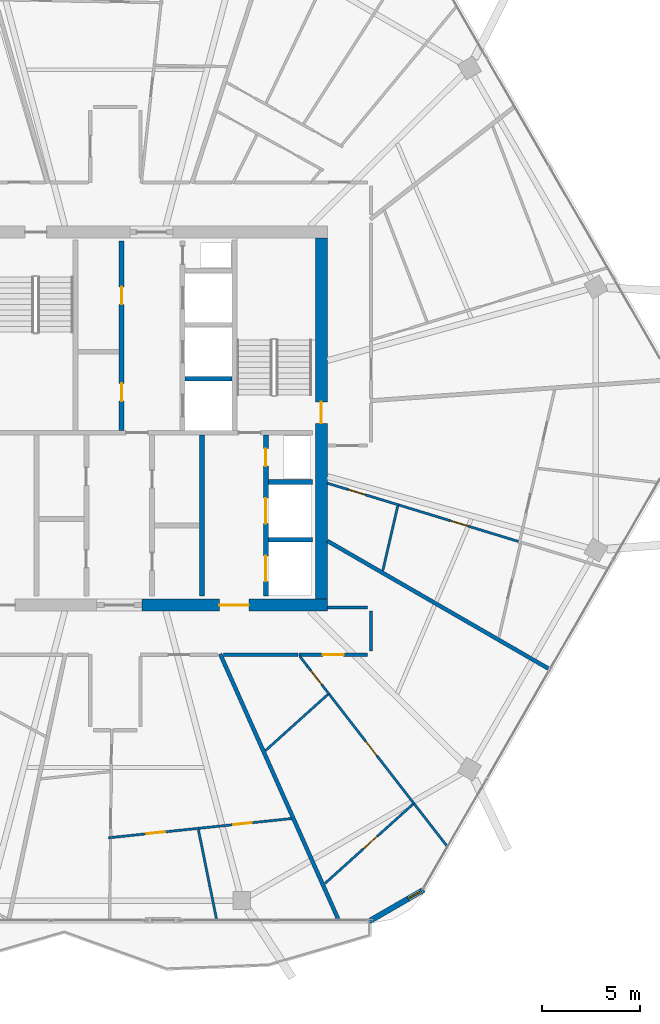
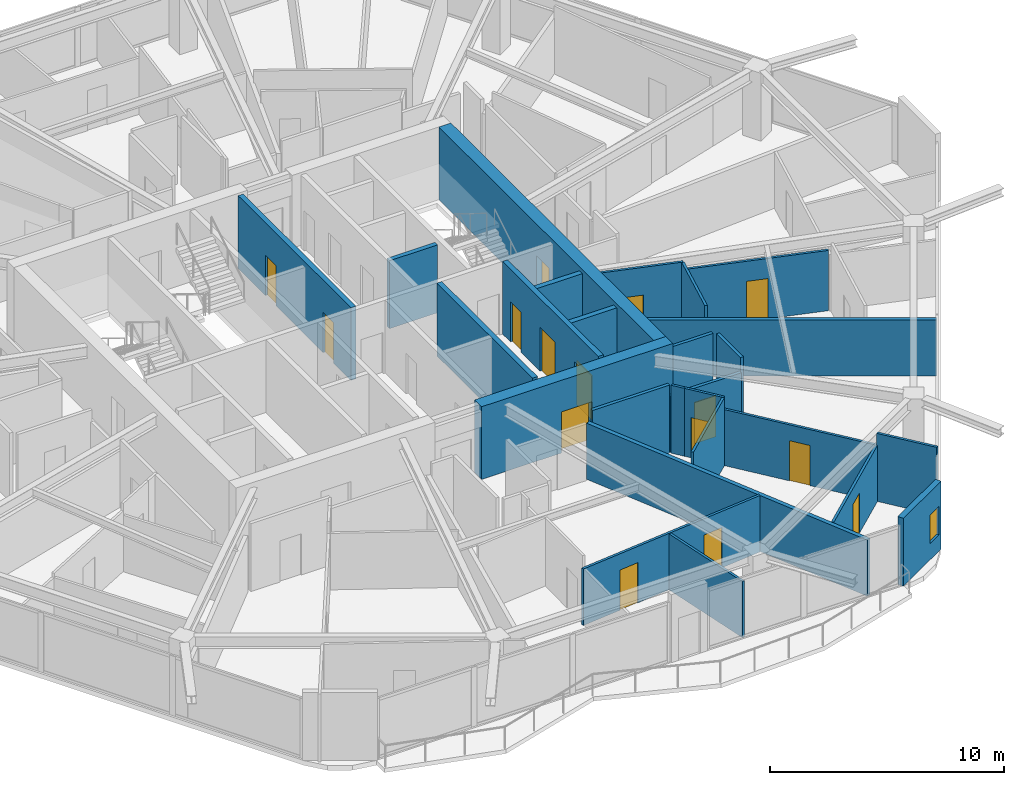
# One storey, part 21 of 26: 26 walls, 15 doors, 1 window, 16 openings.
"""IFC4 building model written with IfcOpenShell, lengths in metres."""

from ifc_helpers import new_model, si_unit, direction, frame, frame_2d, origin, place, context, subcontext, project, spatial, rectangle, extrude, material, layer, layer_set, type_object, element, fill, save


model = new_model("IFC4")

# Units and contexts
model_context = context("Model", 3, precision=1e-05, world=origin(), true_north=direction((0.0, 1.0)))
body_context = subcontext(model_context, "Body", "Model", "MODEL_VIEW")
ifc_project = project(units=[si_unit("LENGTHUNIT", "METRE"), si_unit("AREAUNIT", "SQUARE_METRE"), si_unit("VOLUMEUNIT", "CUBIC_METRE"), si_unit("PLANEANGLEUNIT", "RADIAN"), si_unit("MASSUNIT", "GRAM", prefix="KILO")], contexts=[model_context])

# Site, building, storey
site_placement = place(None, origin())
site = spatial("IfcSite", under=ifc_project, at=site_placement, CompositionType="ELEMENT")
building_placement = place(site_placement, origin())
building = spatial("IfcBuilding", under=site, at=building_placement, Name="Zuhravey Tower", CompositionType="ELEMENT")
storey_placement = place(building_placement, frame((0.0, 0.0, 242.60009765625)))
storey = spatial("IfcBuildingStorey", under=building, at=storey_placement, Name="L61", CompositionType="ELEMENT", Elevation=242.60009765625)

# Wall, opening, door
ifc_material_1 = material(Name="Concrete C50/60", Category="concrete")
ifc_layer_1 = layer(ifc_material_1, 0.60009765625)
ifc_layer_set_1 = layer_set([ifc_layer_1], Name="Concrete C50/60")
wall_type_1 = type_object("IfcWallType", Name="Core Shear Wall 600", PredefinedType="SHEAR", material=ifc_layer_set_1)
wall_1_placement = place(storey_placement, frame((37.35009765625, 22.5, 0.0), z_axis=(0.0, 0.0, 1.0), x_axis=(1.0, 0.0, 0.0)))
wall_1 = element("IfcWall", 1, at=wall_1_placement, inside=storey, type_object=wall_type_1, Name="L61 South-East Core Shear Wall CW60", PredefinedType="SHEAR", context=body_context, shape_type="SweptSolid", body=[
    extrude(rectangle(XDim=9.449951171875, YDim=0.60009765625, at=frame_2d((4.72509765625, 0.0))), origin(), (0.0, 0.0, 1.0), 3.7998046875),
])
opening_1_placement = place(wall_1_placement, frame((3.949951171875, 0.0, 0.0)))
opening_1 = element("IfcOpeningElement", 2, at=opening_1_placement, cuts=wall_1, Name="Opening FFD1", PredefinedType="OPENING", context=body_context, shape_type="SweptSolid", body=[
    extrude(rectangle(XDim=1.5, YDim=2.14990234375, at=frame_2d((0.75, 1.074951171875))), frame((0.0, 0.31201171875, 0.0), z_axis=(0.0, -1.0, 0.0), x_axis=(1.0, 0.0, 0.0)), (0.0, 0.0, 1.0), 0.6240234375),
])
ifc_material_2 = material(Name="Galvanised fire-rated steel leaf", Category="steel")
door_type_1 = type_object("IfcDoorType", Name="Firefighting Lobby Double Door 1500x2150", OperationType="DOUBLE_DOOR_SINGLE_SWING", PredefinedType="DOOR", material=ifc_material_2)
door_1_placement = place(opening_1_placement, origin())
door_1 = element("IfcDoor", 3, at=door_1_placement, inside=storey, type_object=door_type_1, Name="L61 Firefighting Lobby East Door", OperationType="DOUBLE_DOOR_SINGLE_SWING", OverallHeight=2.14990234375, OverallWidth=1.5, PredefinedType="DOOR", context=body_context, shape_type="SweptSolid", body=[
    extrude(rectangle(XDim=1.5, YDim=2.14990234375, at=frame_2d((0.75, 1.074951171875))), frame((0.0, 0.02490234375, 0.0), z_axis=(0.0, -1.0, 0.0), x_axis=(1.0, 0.0, 0.0)), (0.0, 0.0, 1.0), 0.050048828125),
])
fill(opening_1, door_1)

wall_2_placement = place(storey_placement, frame((46.5, 22.800048828125, 0.0), z_axis=(0.0, 0.0, 1.0), x_axis=(0.0, 1.0, 0.0)))
wall_2 = element("IfcWall", 4, at=wall_2_placement, inside=storey, type_object=wall_type_1, Name="L61 East Core Shear Wall CW60", PredefinedType="SHEAR", context=body_context, shape_type="SweptSolid", body=[
    extrude(rectangle(XDim=18.39990234375, YDim=0.60009765625, at=frame_2d((9.199951171875, 0.0))), origin(), (0.0, 0.0, 1.0), 3.7998046875),
])
opening_2_placement = place(wall_2_placement, frame((8.949951171875, 0.0, 0.0)))
opening_2 = element("IfcOpeningElement", 5, at=opening_2_placement, cuts=wall_2, Name="Opening STD1", PredefinedType="OPENING", context=body_context, shape_type="SweptSolid", body=[
    extrude(rectangle(XDim=1.10009765625, YDim=2.14990234375, at=frame_2d((0.550048828125, 1.074951171875))), frame((0.0, 0.31201171875, 0.0), z_axis=(0.0, -1.0, 0.0), x_axis=(1.0, 0.0, 0.0)), (0.0, 0.0, 1.0), 0.6240234375),
])
door_type_2 = type_object("IfcDoorType", Name="Protected Stair Fire Door 1100x2150", OperationType="NOTDEFINED", PredefinedType="USERDEFINED", material=ifc_material_2)
door_2_placement = place(opening_2_placement, origin())
door_2 = element("IfcDoor", 6, at=door_2_placement, inside=storey, type_object=door_type_2, Name="L61 Stair ST2 Door", ObjectType="EXITDOOR", OperationType="SINGLE_SWING_LEFT", OverallHeight=2.14990234375, OverallWidth=1.10009765625, PredefinedType="USERDEFINED", context=body_context, shape_type="SweptSolid", body=[
    extrude(rectangle(XDim=1.10009765625, YDim=2.14990234375, at=frame_2d((0.550048828125, 1.074951171875))), frame((0.0, 0.02490234375, 0.0), z_axis=(0.0, -1.0, 0.0), x_axis=(1.0, 0.0, 0.0)), (0.0, 0.0, 1.0), 0.050048828125),
])
fill(opening_2, door_2)

ifc_material_3 = material(Name="Gypsum fire-rated stud partition")
ifc_layer_2 = layer(ifc_material_3, 0.159912109375)
ifc_layer_set_2 = layer_set([ifc_layer_2], Name="Gypsum fire-rated stud partition")
wall_type_2 = type_object("IfcWallType", Name="Corridor Fire Partition 160", PredefinedType="PARTITIONING", material=ifc_layer_set_2)
wall_3_placement = place(storey_placement, frame((45.356689453125, 19.969970703125, 0.0), z_axis=(0.0, 0.0, 1.0), x_axis=(1.0, 0.0, 0.0)))
wall_3 = element("IfcWall", 7, at=wall_3_placement, inside=storey, type_object=wall_type_2, Name="L61 IW16 Partition 051", PredefinedType="PARTITIONING", context=body_context, shape_type="SweptSolid", body=[
    extrude(rectangle(XDim=3.493408203125, YDim=0.159912109375, at=frame_2d((1.74658203125, 0.0))), origin(), (0.0, 0.0, 1.0), 2.949951171875),
])
opening_3_placement = place(wall_3_placement, frame((1.2216796875, 0.0, 0.0)))
opening_3 = element("IfcOpeningElement", 8, at=opening_3_placement, cuts=wall_3, Name="Opening APD1", PredefinedType="OPENING", context=body_context, shape_type="SweptSolid", body=[
    extrude(rectangle(XDim=1.050048828125, YDim=2.14990234375, at=frame_2d((0.52490234375, 1.074951171875))), frame((0.0, 0.092041015625, 0.0), z_axis=(0.0, -1.0, 0.0), x_axis=(1.0, 0.0, 0.0)), (0.0, 0.0, 1.0), 0.183837890625),
])
ifc_material_4 = material(Name="Solid-core oak fire-rated leaf")
door_type_3 = type_object("IfcDoorType", Name="Apartment Entrance Fire Door 1050x2150", OperationType="NOTDEFINED", PredefinedType="DOOR", material=ifc_material_4)
door_3_placement = place(opening_3_placement, frame((1.050048828125, 0.0, 0.0), z_axis=(0.0, 0.0, 1.0), x_axis=(-1.0, 0.0, 0.0)))
door_3 = element("IfcDoor", 9, at=door_3_placement, inside=storey, type_object=door_type_3, Name="L61 Door 051.1", OperationType="SINGLE_SWING_LEFT", OverallHeight=2.14990234375, OverallWidth=1.050048828125, PredefinedType="DOOR", context=body_context, shape_type="SweptSolid", body=[
    extrude(rectangle(XDim=1.050048828125, YDim=2.14990234375, at=frame_2d((0.52490234375, 1.074951171875))), frame((0.0, 0.02490234375, 0.0), z_axis=(0.0, -1.0, 0.0), x_axis=(1.0, 0.0, 0.0)), (0.0, 0.0, 1.0), 0.050048828125),
])
fill(opening_3, door_3)

# Walls
wall_4_placement = place(storey_placement, frame((49.030029296875, 20.14990234375, 0.0), z_axis=(0.0, 0.0, 1.0), x_axis=(0.0, 1.0, 0.0)))
element("IfcWall", 10, at=wall_4_placement, inside=storey, type_object=wall_type_2, Name="L61 IW16 Partition 135", PredefinedType="PARTITIONING", context=body_context, shape_type="SweptSolid", body=[
    extrude(rectangle(XDim=2.050048828125, YDim=0.159912109375, at=frame_2d((1.02490234375, 0.0))), origin(), (0.0, 0.0, 1.0), 3.5498046875),
])
wall_5_placement = place(storey_placement, frame((48.85009765625, 22.3798828125, 0.0), z_axis=(0.0, 0.0, 1.0), x_axis=(-1.0, 0.0, 0.0)))
element("IfcWall", 11, at=wall_5_placement, inside=storey, type_object=wall_type_2, Name="L61 IW16 Partition 136", PredefinedType="PARTITIONING", context=body_context, shape_type="SweptSolid", body=[
    extrude(rectangle(XDim=2.030029296875, YDim=0.159912109375, at=frame_2d((1.01513671875, 0.0))), origin(), (0.0, 0.0, 1.0), 3.5498046875),
])
wall_6_placement = place(storey_placement, frame((41.50439453125, 19.969970703125, 0.0), z_axis=(0.0, 0.0, 1.0), x_axis=(1.0, 0.0, 0.0)))
element("IfcWall", 12, at=wall_6_placement, inside=storey, type_object=wall_type_2, Name="L61 IW16 Partition 137", PredefinedType="PARTITIONING", context=body_context, shape_type="SweptSolid", body=[
    extrude(rectangle(XDim=3.8017578125, YDim=0.159912109375, at=frame_2d((1.90087890625, 0.0))), origin(), (0.0, 0.0, 1.0), 3.5498046875),
])

# Wall, opening, window
ifc_material_5 = material(Name="Precast concrete C40/50", Category="concrete")
ifc_layer_3 = layer(ifc_material_5, 0.280029296875)
ifc_layer_set_3 = layer_set([ifc_layer_3], Name="Precast concrete C40/50")
wall_type_3 = type_object("IfcWallType", Name="Crown Architectural Wall 280", PredefinedType="SOLIDWALL", material=ifc_layer_set_3)
wall_7_placement = place(storey_placement, frame((51.714599609375, 7.996337890625, 0.0), z_axis=(0.0, 0.0, 1.0), x_axis=(-0.866028773314, -0.499994163758, 0.0)))
wall_7 = element("IfcWall", 13, at=wall_7_placement, inside=storey, type_object=wall_type_3, Name="L61 Rounded Corner Closure Wall EW28-02", PredefinedType="SOLIDWALL", context=body_context, shape_type="SweptSolid", body=[
    extrude(rectangle(XDim=3.21484375, YDim=0.280029296875, at=frame_2d((1.607421875, 0.0))), origin(), (0.0, 0.0, 1.0), 3.5498046875),
])
opening_4_placement = place(wall_7_placement, frame((0.17578125, 0.0, 0.85009765625)))
opening_4 = element("IfcOpeningElement", 14, at=opening_4_placement, cuts=wall_7, Name="Opening WN5", PredefinedType="OPENING", context=body_context, shape_type="SweptSolid", body=[
    extrude(rectangle(XDim=0.75, YDim=1.5, at=frame_2d((0.375, 0.75))), frame((0.0, 0.152099609375, 0.0), z_axis=(0.0, -1.0, 0.0), x_axis=(1.0, 0.0, 0.0)), (0.0, 0.0, 1.0), 0.303955078125),
])
ifc_material_6 = material(Name="Thermally broken aluminium and triple low-E glass", Category="aluminium")
window_type = type_object("IfcWindowType", Name="Residential Corner Casement Window 750x1500", PartitioningType="SINGLE_PANEL", PredefinedType="WINDOW", material=ifc_material_6)
window_placement = place(opening_4_placement, origin())
window = element("IfcWindow", 15, at=window_placement, inside=storey, type_object=window_type, Name="L61 Corner Casement Window WN5-02.1", OverallHeight=1.5, OverallWidth=0.75, PartitioningType="SINGLE_PANEL", PredefinedType="WINDOW", context=body_context, shape_type="SweptSolid", body=[
    extrude(rectangle(XDim=0.75, YDim=1.5, at=frame_2d((0.375, 0.75))), frame((0.0, 0.030029296875, 0.0), z_axis=(0.0, -1.0, 0.0), x_axis=(1.0, 0.0, 0.0)), (0.0, 0.0, 1.0), 0.06005859375),
])
fill(opening_4, window)

# Wall, openings, doors
ifc_layer_4 = layer(ifc_material_1, 0.25)
ifc_layer_set_4 = layer_set([ifc_layer_4], Name="Concrete C50/60")
wall_type_4 = type_object("IfcWallType", Name="Firefighting Shaft & Stair Wall 250", PredefinedType="SOLIDWALL", material=ifc_layer_set_4)
wall_8_placement = place(storey_placement, frame((36.324951171875, 31.39990234375, 0.0), z_axis=(0.0, 0.0, 1.0), x_axis=(0.0, 1.0, 0.0)))
wall_8 = element("IfcWall", 16, at=wall_8_placement, inside=storey, type_object=wall_type_4, Name="L61 FW25 Shaft Wall 007", PredefinedType="SOLIDWALL", context=body_context, shape_type="SweptSolid", body=[
    extrude(rectangle(XDim=9.650146484375, YDim=0.25, at=frame_2d((4.8251953125, 0.0))), origin(), (0.0, 0.0, 1.0), 3.7998046875),
])
opening_5_placement = place(wall_8_placement, frame((1.489990234375, 0.0, 0.0)))
opening_5 = element("IfcOpeningElement", 17, at=opening_5_placement, cuts=wall_8, Name="Opening RSD1", PredefinedType="OPENING", context=body_context, shape_type="SweptSolid", body=[
    extrude(rectangle(XDim=0.89990234375, YDim=2.10009765625, at=frame_2d((0.449951171875, 1.050048828125))), frame((0.0, 0.136962890625, 0.0), z_axis=(0.0, -1.0, 0.0), x_axis=(1.0, 0.0, 0.0)), (0.0, 0.0, 1.0), 0.27392578125),
])
opening_6_placement = place(wall_8_placement, frame((6.409912109375, 0.0, 0.0)))
opening_6 = element("IfcOpeningElement", 18, at=opening_6_placement, cuts=wall_8, Name="Opening RSD1", PredefinedType="OPENING", context=body_context, shape_type="SweptSolid", body=[
    extrude(rectangle(XDim=0.89990234375, YDim=2.10009765625, at=frame_2d((0.449951171875, 1.050048828125))), frame((0.0, 0.136962890625, 0.0), z_axis=(0.0, -1.0, 0.0), x_axis=(1.0, 0.0, 0.0)), (0.0, 0.0, 1.0), 0.27392578125),
])
ifc_material_7 = material(Name="Galvanised fire-rated steel access leaf", Category="steel")
door_type_4 = type_object("IfcDoorType", Name="Riser & Shaft Access Fire Door 900x2100", OperationType="NOTDEFINED", PredefinedType="DOOR", material=ifc_material_7)
door_4_placement = place(opening_5_placement, origin())
door_4 = element("IfcDoor", 19, at=door_4_placement, inside=storey, type_object=door_type_4, Name="L61 Core Cleaner Store Door", OperationType="SINGLE_SWING_RIGHT", OverallHeight=2.10009765625, OverallWidth=0.89990234375, PredefinedType="DOOR", context=body_context, shape_type="SweptSolid", body=[
    extrude(rectangle(XDim=0.89990234375, YDim=2.10009765625, at=frame_2d((0.449951171875, 1.050048828125))), frame((0.0, 0.02490234375, 0.0), z_axis=(0.0, -1.0, 0.0), x_axis=(1.0, 0.0, 0.0)), (0.0, 0.0, 1.0), 0.050048828125),
])
fill(opening_5, door_4)
door_5_placement = place(opening_6_placement, origin())
door_5 = element("IfcDoor", 20, at=door_5_placement, inside=storey, type_object=door_type_4, Name="L61 Core Pantry and Tea Room Door", OperationType="SINGLE_SWING_LEFT", OverallHeight=2.10009765625, OverallWidth=0.89990234375, PredefinedType="DOOR", context=body_context, shape_type="SweptSolid", body=[
    extrude(rectangle(XDim=0.89990234375, YDim=2.10009765625, at=frame_2d((0.449951171875, 1.050048828125))), frame((0.0, 0.02490234375, 0.0), z_axis=(0.0, -1.0, 0.0), x_axis=(1.0, 0.0, 0.0)), (0.0, 0.0, 1.0), 0.050048828125),
])
fill(opening_6, door_5)

# Walls
wall_9_placement = place(storey_placement, frame((40.425048828125, 22.949951171875, 0.0), z_axis=(0.0, 0.0, 1.0), x_axis=(0.0, 1.0, 0.0)))
element("IfcWall", 21, at=wall_9_placement, inside=storey, type_object=wall_type_4, Name="L61 FW25 Shaft Wall 017", PredefinedType="SOLIDWALL", context=body_context, shape_type="SweptSolid", body=[
    extrude(rectangle(XDim=8.199951171875, YDim=0.25, at=frame_2d((4.10009765625, 0.0))), origin(), (0.0, 0.0, 1.0), 3.7998046875),
])
for number, where, z_axis, x_axis, name in (
    (22, (43.800048828125, 25.824951171875, 0.0), (0.0, 0.0, 1.0), (1.0, 0.0, 0.0), "L61 FW25 Shaft Wall 018"),
    (23, (43.800048828125, 28.77490234375, 0.0), (0.0, 0.0, 1.0), (1.0, 0.0, 0.0), "L61 FW25 Shaft Wall 019"),
):
    element("IfcWall", number, at=place(storey_placement, frame(where, z_axis=z_axis, x_axis=x_axis)), inside=storey, type_object=wall_type_4, Name=name, PredefinedType="SOLIDWALL", context=body_context, shape_type="SweptSolid", body=[
        extrude(rectangle(XDim=2.25, YDim=0.25, at=frame_2d((1.125, 0.0))), origin(), (0.0, 0.0, 1.0), 3.7998046875),
    ])

# Wall, openings, doors
wall_10_placement = place(storey_placement, frame((43.675048828125, 22.949951171875, 0.0), z_axis=(0.0, 0.0, 1.0), x_axis=(0.0, 1.0, 0.0)))
wall_10 = element("IfcWall", 24, at=wall_10_placement, inside=storey, type_object=wall_type_4, Name="L61 FW25 Shaft Wall 020", PredefinedType="SOLIDWALL", context=body_context, shape_type="SweptSolid", body=[
    extrude(rectangle(XDim=8.199951171875, YDim=0.25, at=frame_2d((4.10009765625, 0.0))), origin(), (0.0, 0.0, 1.0), 3.7998046875),
])
opening_7_placement = place(wall_10_placement, frame((0.75, 0.0, 0.0)))
opening_7 = element("IfcOpeningElement", 25, at=opening_7_placement, cuts=wall_10, Name="Opening LD2", PredefinedType="OPENING", context=body_context, shape_type="SweptSolid", body=[
    extrude(rectangle(XDim=1.300048828125, YDim=2.300048828125, at=frame_2d((0.64990234375, 1.14990234375))), frame((0.0, 0.136962890625, 0.0), z_axis=(0.0, -1.0, 0.0), x_axis=(1.0, 0.0, 0.0)), (0.0, 0.0, 1.0), 0.27392578125),
])
opening_8_placement = place(wall_10_placement, frame((3.699951171875, 0.0, 0.0)))
opening_8 = element("IfcOpeningElement", 26, at=opening_8_placement, cuts=wall_10, Name="Opening LD2", PredefinedType="OPENING", context=body_context, shape_type="SweptSolid", body=[
    extrude(rectangle(XDim=1.300048828125, YDim=2.300048828125, at=frame_2d((0.64990234375, 1.14990234375))), frame((0.0, 0.136962890625, 0.0), z_axis=(0.0, -1.0, 0.0), x_axis=(1.0, 0.0, 0.0)), (0.0, 0.0, 1.0), 0.27392578125),
])
opening_9_placement = place(wall_10_placement, frame((6.6201171875, 0.0, 0.0)))
opening_9 = element("IfcOpeningElement", 27, at=opening_9_placement, cuts=wall_10, Name="Opening RSD1", PredefinedType="OPENING", context=body_context, shape_type="SweptSolid", body=[
    extrude(rectangle(XDim=0.89990234375, YDim=2.10009765625, at=frame_2d((0.449951171875, 1.050048828125))), frame((0.0, 0.136962890625, 0.0), z_axis=(0.0, -1.0, 0.0), x_axis=(1.0, 0.0, 0.0)), (0.0, 0.0, 1.0), 0.27392578125),
])
ifc_material_8 = material(Name="Brushed stainless steel", Category="steel")
door_type_5 = type_object("IfcDoorType", Name="Freight & Stretcher Lift Sliding Door 1300x2300", OperationType="DOUBLE_DOOR_SLIDING", PredefinedType="DOOR", material=ifc_material_8)
door_6_placement = place(opening_7_placement, origin())
door_6 = element("IfcDoor", 28, at=door_6_placement, inside=storey, type_object=door_type_5, Name="L61 Lift FF2 Landing Door", OperationType="DOUBLE_DOOR_SLIDING", OverallHeight=2.300048828125, OverallWidth=1.300048828125, PredefinedType="DOOR", context=body_context, shape_type="SweptSolid", body=[
    extrude(rectangle(XDim=1.300048828125, YDim=2.300048828125, at=frame_2d((0.64990234375, 1.14990234375))), frame((0.0, 0.02490234375, 0.0), z_axis=(0.0, -1.0, 0.0), x_axis=(1.0, 0.0, 0.0)), (0.0, 0.0, 1.0), 0.050048828125),
])
fill(opening_7, door_6)
door_7_placement = place(opening_8_placement, origin())
door_7 = element("IfcDoor", 29, at=door_7_placement, inside=storey, type_object=door_type_5, Name="L61 Lift SV1 Landing Door", OperationType="DOUBLE_DOOR_SLIDING", OverallHeight=2.300048828125, OverallWidth=1.300048828125, PredefinedType="DOOR", context=body_context, shape_type="SweptSolid", body=[
    extrude(rectangle(XDim=1.300048828125, YDim=2.300048828125, at=frame_2d((0.64990234375, 1.14990234375))), frame((0.0, 0.02490234375, 0.0), z_axis=(0.0, -1.0, 0.0), x_axis=(1.0, 0.0, 0.0)), (0.0, 0.0, 1.0), 0.050048828125),
])
fill(opening_8, door_7)
door_8_placement = place(opening_9_placement, origin())
door_8 = element("IfcDoor", 30, at=door_8_placement, inside=storey, type_object=door_type_4, Name="L61 Plumbing Riser Door", OperationType="SINGLE_SWING_LEFT", OverallHeight=2.10009765625, OverallWidth=0.89990234375, PredefinedType="DOOR", context=body_context, shape_type="SweptSolid", body=[
    extrude(rectangle(XDim=0.89990234375, YDim=2.10009765625, at=frame_2d((0.449951171875, 1.050048828125))), frame((0.0, 0.02490234375, 0.0), z_axis=(0.0, -1.0, 0.0), x_axis=(1.0, 0.0, 0.0)), (0.0, 0.0, 1.0), 0.050048828125),
])
fill(opening_9, door_8)

# Walls
ifc_material_9 = material(Name="Gypsum double-stud party assembly")
ifc_layer_5 = layer(ifc_material_9, 0.199951171875)
ifc_layer_set_5 = layer_set([ifc_layer_5], Name="Gypsum double-stud party assembly")
wall_type_5 = type_object("IfcWallType", Name="Inter-Tenancy Party Wall 200", PredefinedType="PARTITIONING", material=ifc_layer_set_5)
wall_11_placement = place(storey_placement, frame((41.33837890625, 20.010009765625, 0.0), z_axis=(0.0, 0.0, 1.0), x_axis=(0.406725337387, -0.913550491176, 0.0)))
element("IfcWall", 31, at=wall_11_placement, inside=storey, type_object=wall_type_5, Name="L61 IW20 Partition 100", PredefinedType="PARTITIONING", context=body_context, shape_type="SweptSolid", body=[
    extrude(rectangle(XDim=14.858154296875, YDim=0.199951171875, at=frame_2d((7.42919921875, 0.0))), origin(), (0.0, 0.0, 1.0), 2.929931640625),
])
wall_12_placement = place(storey_placement, frame((46.80810546875, 25.760009765625, 0.0), z_axis=(0.0, 0.0, 1.0), x_axis=(0.86602399778, -0.500002435262, 0.0)))
element("IfcWall", 32, at=wall_12_placement, inside=storey, type_object=wall_type_5, Name="L61 IW20 Partition 104", PredefinedType="PARTITIONING", context=body_context, shape_type="SweptSolid", body=[
    extrude(rectangle(XDim=13.08349609375, YDim=0.199951171875, at=frame_2d((6.541748046875, 0.0))), origin(), (0.0, 0.0, 1.0), 2.929931640625),
])
ifc_material_10 = material(Name="Gypsum acoustic stud assembly")
ifc_layer_6 = layer(ifc_material_10, 0.219970703125)
ifc_layer_set_6 = layer_set([ifc_layer_6], Name="Gypsum acoustic stud assembly")
wall_type_6 = type_object("IfcWallType", Name="School Acoustic Compartment Wall 220", PredefinedType="PARTITIONING", material=ifc_layer_set_6)
wall_13_placement = place(storey_placement, frame((39.55810546875, 34.02490234375, 0.0), z_axis=(0.0, 0.0, 1.0), x_axis=(1.0, 0.0, 0.0)))
element("IfcWall", 33, at=wall_13_placement, inside=storey, type_object=wall_type_6, Name="L61 IW22 Partition 070", PredefinedType="PARTITIONING", context=body_context, shape_type="SweptSolid", body=[
    extrude(rectangle(XDim=2.3837890625, YDim=0.219970703125, at=frame_2d((1.19189453125, 0.0))), origin(), (0.0, 0.0, 1.0), 3.5498046875),
])

# Wall, openings, doors
ifc_material_11 = material(Name="Gypsum metal-stud partition")
ifc_layer_7 = layer(ifc_material_11, 0.1201171875)
ifc_layer_set_7 = layer_set([ifc_layer_7], Name="Gypsum metal-stud partition")
wall_type_7 = type_object("IfcWallType", Name="Unit Internal Partition 120", PredefinedType="PARTITIONING", material=ifc_layer_set_7)
wall_14_placement = place(storey_placement, frame((35.65771484375, 10.64208984375, 0.0), z_axis=(0.0, 0.0, 1.0), x_axis=(0.994519444743, 0.104551776778, 0.0)))
wall_14 = element("IfcWall", 34, at=wall_14_placement, inside=storey, type_object=wall_type_7, Name="L61 IW12 Partition 043", PredefinedType="PARTITIONING", context=body_context, shape_type="SweptSolid", body=[
    extrude(rectangle(XDim=9.36376953125, YDim=0.1201171875, at=frame_2d((4.681884765625, 0.0))), origin(), (0.0, 0.0, 1.0), 2.949951171875),
])
opening_10_placement = place(wall_14_placement, frame((1.93896484375, 0.0, 0.0)))
opening_10 = element("IfcOpeningElement", 35, at=opening_10_placement, cuts=wall_14, Name="Opening IND1", PredefinedType="OPENING", context=body_context, shape_type="SweptSolid", body=[
    extrude(rectangle(XDim=0.949951171875, YDim=2.10009765625, at=frame_2d((0.47509765625, 1.050048828125))), frame((0.0, 0.072021484375, 0.0), z_axis=(0.0, -1.0, 0.0), x_axis=(1.0, 0.0, 0.0)), (0.0, 0.0, 1.0), 0.14404296875),
])
opening_11_placement = place(wall_14_placement, frame((6.380126953125, 0.0, 0.0)))
opening_11 = element("IfcOpeningElement", 36, at=opening_11_placement, cuts=wall_14, Name="Opening IND1", PredefinedType="OPENING", context=body_context, shape_type="SweptSolid", body=[
    extrude(rectangle(XDim=0.949951171875, YDim=2.10009765625, at=frame_2d((0.47509765625, 1.050048828125))), frame((0.0, 0.072021484375, 0.0), z_axis=(0.0, -1.0, 0.0), x_axis=(1.0, 0.0, 0.0)), (0.0, 0.0, 1.0), 0.14404296875),
])
ifc_material_12 = material(Name="Painted engineered timber leaf", Category="wood")
door_type_6 = type_object("IfcDoorType", Name="Internal Room & Bedroom Door 950x2100", OperationType="NOTDEFINED", PredefinedType="DOOR", material=ifc_material_12)
door_9_placement = place(opening_10_placement, frame((0.949951171875, 0.0, 0.0), z_axis=(0.0, 0.0, 1.0), x_axis=(-1.0, 0.0, 0.0)))
door_9 = element("IfcDoor", 37, at=door_9_placement, inside=storey, type_object=door_type_6, Name="Apartment L61-06 Family Study Door", OperationType="SINGLE_SWING_LEFT", OverallHeight=2.10009765625, OverallWidth=0.949951171875, PredefinedType="DOOR", context=body_context, shape_type="SweptSolid", body=[
    extrude(rectangle(XDim=0.949951171875, YDim=2.10009765625, at=frame_2d((0.47509765625, 1.050048828125))), frame((0.0, 0.02490234375, 0.0), z_axis=(0.0, -1.0, 0.0), x_axis=(1.0, 0.0, 0.0)), (0.0, 0.0, 1.0), 0.050048828125),
])
fill(opening_10, door_9)
door_10_placement = place(opening_11_placement, frame((0.949951171875, 0.0, 0.0), z_axis=(0.0, 0.0, 1.0), x_axis=(-1.0, 0.0, 0.0)))
door_10 = element("IfcDoor", 38, at=door_10_placement, inside=storey, type_object=door_type_6, Name="Apartment L61-06 Dining Room Door", OperationType="SINGLE_SWING_RIGHT", OverallHeight=2.10009765625, OverallWidth=0.949951171875, PredefinedType="DOOR", context=body_context, shape_type="SweptSolid", body=[
    extrude(rectangle(XDim=0.949951171875, YDim=2.10009765625, at=frame_2d((0.47509765625, 1.050048828125))), frame((0.0, 0.02490234375, 0.0), z_axis=(0.0, -1.0, 0.0), x_axis=(1.0, 0.0, 0.0)), (0.0, 0.0, 1.0), 0.050048828125),
])
fill(opening_11, door_10)

# Wall, opening, door
wall_15_placement = place(storey_placement, frame((45.7734375, 19.39990234375, 0.0), z_axis=(0.0, 0.0, 1.0), x_axis=(0.612972513082, -0.790104232495, 0.0)))
wall_15 = element("IfcWall", 39, at=wall_15_placement, inside=storey, type_object=wall_type_7, Name="L61 IW12 Partition 048", PredefinedType="PARTITIONING", context=body_context, shape_type="SweptSolid", body=[
    extrude(rectangle(XDim=1.816650390625, YDim=0.1201171875, at=frame_2d((0.908203125, 0.0))), origin(), (0.0, 0.0, 1.0), 3.5498046875),
])
opening_12_placement = place(wall_15_placement, frame((0.31298828125, 0.0, 0.0)))
opening_12 = element("IfcOpeningElement", 40, at=opening_12_placement, cuts=wall_15, Name="Opening WCD1", PredefinedType="OPENING", context=body_context, shape_type="SweptSolid", body=[
    extrude(rectangle(XDim=0.89990234375, YDim=2.10009765625, at=frame_2d((0.449951171875, 1.050048828125))), frame((0.0, 0.072021484375, 0.0), z_axis=(0.0, -1.0, 0.0), x_axis=(1.0, 0.0, 0.0)), (0.0, 0.0, 1.0), 0.14404296875),
])
ifc_material_13 = material(Name="Moisture-resistant timber leaf", Category="wood")
door_type_7 = type_object("IfcDoorType", Name="Bathroom & WC Internal Door 900x2100", OperationType="NOTDEFINED", PredefinedType="DOOR", material=ifc_material_13)
door_11_placement = place(opening_12_placement, frame((0.89990234375, 0.0, 0.0), z_axis=(0.0, 0.0, 1.0), x_axis=(-1.0, 0.0, 0.0)))
door_11 = element("IfcDoor", 41, at=door_11_placement, inside=storey, type_object=door_type_7, Name="Apartment L61-07 Bathroom Door", OperationType="SINGLE_SWING_RIGHT", OverallHeight=2.10009765625, OverallWidth=0.89990234375, PredefinedType="DOOR", context=body_context, shape_type="SweptSolid", body=[
    extrude(rectangle(XDim=0.89990234375, YDim=2.10009765625, at=frame_2d((0.449951171875, 1.050048828125))), frame((0.0, 0.02490234375, 0.0), z_axis=(0.0, -1.0, 0.0), x_axis=(1.0, 0.0, 0.0)), (0.0, 0.0, 1.0), 0.050048828125),
])
fill(opening_12, door_11)

wall_16_placement = place(storey_placement, frame((46.88720703125, 17.964599609375, 0.0), z_axis=(0.0, 0.0, 1.0), x_axis=(0.612896077685, -0.790163526087, 0.0)))
wall_16 = element("IfcWall", 42, at=wall_16_placement, inside=storey, type_object=wall_type_7, Name="L61 IW12 Partition 049", PredefinedType="PARTITIONING", context=body_context, shape_type="SweptSolid", body=[
    extrude(rectangle(XDim=7.074951171875, YDim=0.1201171875, at=frame_2d((3.53759765625, 0.0))), origin(), (0.0, 0.0, 1.0), 2.929931640625),
])
opening_13_placement = place(wall_16_placement, frame((3.03759765625, 0.0, 0.0)))
opening_13 = element("IfcOpeningElement", 43, at=opening_13_placement, cuts=wall_16, Name="Opening IND1", PredefinedType="OPENING", context=body_context, shape_type="SweptSolid", body=[
    extrude(rectangle(XDim=0.949951171875, YDim=2.10009765625, at=frame_2d((0.47509765625, 1.050048828125))), frame((0.0, 0.072021484375, 0.0), z_axis=(0.0, -1.0, 0.0), x_axis=(1.0, 0.0, 0.0)), (0.0, 0.0, 1.0), 0.14404296875),
])
door_12_placement = place(opening_13_placement, frame((0.949951171875, 0.0, 0.0), z_axis=(0.0, 0.0, 1.0), x_axis=(-1.0, 0.0, 0.0)))
door_12 = element("IfcDoor", 44, at=door_12_placement, inside=storey, type_object=door_type_6, Name="Apartment L61-07 Home Office Door", OperationType="SINGLE_SWING_LEFT", OverallHeight=2.10009765625, OverallWidth=0.949951171875, PredefinedType="DOOR", context=body_context, shape_type="SweptSolid", body=[
    extrude(rectangle(XDim=0.949951171875, YDim=2.10009765625, at=frame_2d((0.47509765625, 1.050048828125))), frame((0.0, 0.02490234375, 0.0), z_axis=(0.0, -1.0, 0.0), x_axis=(1.0, 0.0, 0.0)), (0.0, 0.0, 1.0), 0.050048828125),
])
fill(opening_13, door_12)

wall_17_placement = place(storey_placement, frame((46.68212890625, 8.319091796875, 0.0), z_axis=(0.0, 0.0, 1.0), x_axis=(0.743153013224, 0.669121512834, 0.0)))
wall_17 = element("IfcWall", 45, at=wall_17_placement, inside=storey, type_object=wall_type_7, Name="L61 IW12 Partition 050", PredefinedType="PARTITIONING", context=body_context, shape_type="SweptSolid", body=[
    extrude(rectangle(XDim=6.021728515625, YDim=0.1201171875, at=frame_2d((3.0107421875, 0.0))), origin(), (0.0, 0.0, 1.0), 2.929931640625),
])
opening_14_placement = place(wall_17_placement, frame((2.6201171875, 0.0, 0.0)))
opening_14 = element("IfcOpeningElement", 46, at=opening_14_placement, cuts=wall_17, Name="Opening IND1", PredefinedType="OPENING", context=body_context, shape_type="SweptSolid", body=[
    extrude(rectangle(XDim=0.949951171875, YDim=2.10009765625, at=frame_2d((0.47509765625, 1.050048828125))), frame((0.0, 0.072021484375, 0.0), z_axis=(0.0, -1.0, 0.0), x_axis=(1.0, 0.0, 0.0)), (0.0, 0.0, 1.0), 0.14404296875),
])
door_13_placement = place(opening_14_placement, frame((0.949951171875, 0.0, 0.0), z_axis=(0.0, 0.0, 1.0), x_axis=(-1.0, 0.0, 0.0)))
door_13 = element("IfcDoor", 47, at=door_13_placement, inside=storey, type_object=door_type_6, Name="Apartment L61-07 Bedroom 1 Door", OperationType="SINGLE_SWING_RIGHT", OverallHeight=2.10009765625, OverallWidth=0.949951171875, PredefinedType="DOOR", context=body_context, shape_type="SweptSolid", body=[
    extrude(rectangle(XDim=0.949951171875, YDim=2.10009765625, at=frame_2d((0.47509765625, 1.050048828125))), frame((0.0, 0.02490234375, 0.0), z_axis=(0.0, -1.0, 0.0), x_axis=(1.0, 0.0, 0.0)), (0.0, 0.0, 1.0), 0.050048828125),
])
fill(opening_14, door_13)

wall_18_placement = place(storey_placement, frame((46.80810546875, 28.703857421875, 0.0), z_axis=(0.0, 0.0, 1.0), x_axis=(0.956504815911, -0.291716535594, 0.0)))
wall_18 = element("IfcWall", 48, at=wall_18_placement, inside=storey, type_object=wall_type_7, Name="L61 IW12 Partition 053", PredefinedType="PARTITIONING", context=body_context, shape_type="SweptSolid", body=[
    extrude(rectangle(XDim=3.78125, YDim=0.1201171875, at=frame_2d((1.890625, 0.0))), origin(), (0.0, 0.0, 1.0), 3.5498046875),
])
opening_15_placement = place(wall_18_placement, frame((1.11865234375, 0.0, 0.0)))
opening_15 = element("IfcOpeningElement", 49, at=opening_15_placement, cuts=wall_18, Name="Opening WCD1", PredefinedType="OPENING", context=body_context, shape_type="SweptSolid", body=[
    extrude(rectangle(XDim=0.89990234375, YDim=2.10009765625, at=frame_2d((0.449951171875, 1.050048828125))), frame((0.0, 0.072021484375, 0.0), z_axis=(0.0, -1.0, 0.0), x_axis=(1.0, 0.0, 0.0)), (0.0, 0.0, 1.0), 0.14404296875),
])
door_14_placement = place(opening_15_placement, frame((0.89990234375, 0.0, 0.0), z_axis=(0.0, 0.0, 1.0), x_axis=(-1.0, 0.0, 0.0)))
door_14 = element("IfcDoor", 50, at=door_14_placement, inside=storey, type_object=door_type_7, Name="Apartment L61-08 Bathroom Door", OperationType="SINGLE_SWING_RIGHT", OverallHeight=2.10009765625, OverallWidth=0.89990234375, PredefinedType="DOOR", context=body_context, shape_type="SweptSolid", body=[
    extrude(rectangle(XDim=0.89990234375, YDim=2.10009765625, at=frame_2d((0.449951171875, 1.050048828125))), frame((0.0, 0.02490234375, 0.0), z_axis=(0.0, -1.0, 0.0), x_axis=(1.0, 0.0, 0.0)), (0.0, 0.0, 1.0), 0.050048828125),
])
fill(opening_15, door_14)

wall_19_placement = place(storey_placement, frame((50.4248046875, 27.600830078125, 0.0), z_axis=(0.0, 0.0, 1.0), x_axis=(0.956517137307, -0.291676132103, 0.0)))
wall_19 = element("IfcWall", 51, at=wall_19_placement, inside=storey, type_object=wall_type_7, Name="L61 IW12 Partition 054", PredefinedType="PARTITIONING", context=body_context, shape_type="SweptSolid", body=[
    extrude(rectangle(XDim=6.381591796875, YDim=0.1201171875, at=frame_2d((3.19091796875, 0.0))), origin(), (0.0, 0.0, 1.0), 3.14990234375),
])
opening_16_placement = place(wall_19_placement, frame((2.771484375, 0.0, 0.0)))
opening_16 = element("IfcOpeningElement", 52, at=opening_16_placement, cuts=wall_19, Name="Opening IND1", PredefinedType="OPENING", context=body_context, shape_type="SweptSolid", body=[
    extrude(rectangle(XDim=0.949951171875, YDim=2.10009765625, at=frame_2d((0.47509765625, 1.050048828125))), frame((0.0, 0.072021484375, 0.0), z_axis=(0.0, -1.0, 0.0), x_axis=(1.0, 0.0, 0.0)), (0.0, 0.0, 1.0), 0.14404296875),
])
door_15_placement = place(opening_16_placement, frame((0.949951171875, 0.0, 0.0), z_axis=(0.0, 0.0, 1.0), x_axis=(-1.0, 0.0, 0.0)))
door_15 = element("IfcDoor", 53, at=door_15_placement, inside=storey, type_object=door_type_6, Name="Apartment L61-08 Home Office Door", OperationType="SINGLE_SWING_LEFT", OverallHeight=2.10009765625, OverallWidth=0.949951171875, PredefinedType="DOOR", context=body_context, shape_type="SweptSolid", body=[
    extrude(rectangle(XDim=0.949951171875, YDim=2.10009765625, at=frame_2d((0.47509765625, 1.050048828125))), frame((0.0, 0.02490234375, 0.0), z_axis=(0.0, -1.0, 0.0), x_axis=(1.0, 0.0, 0.0)), (0.0, 0.0, 1.0), 0.050048828125),
])
fill(opening_16, door_15)

# Walls
wall_20_placement = place(storey_placement, frame((40.23291015625, 11.0546875, 0.0), z_axis=(0.0, 0.0, 1.0), x_axis=(0.198056275703, -0.980190650667, 0.0)))
element("IfcWall", 54, at=wall_20_placement, inside=storey, type_object=wall_type_7, Name="L61 IW12 Partition 097", PredefinedType="PARTITIONING", context=body_context, shape_type="SweptSolid", body=[
    extrude(rectangle(XDim=4.7421875, YDim=0.1201171875, at=frame_2d((2.37109375, 0.0))), origin(), (0.0, 0.0, 1.0), 2.929931640625),
])
wall_21_placement = place(storey_placement, frame((45.399658203125, 19.882080078125, 0.0), z_axis=(0.0, 0.0, 1.0), x_axis=(0.612665415135, -0.790342387258, 0.0)))
element("IfcWall", 55, at=wall_21_placement, inside=storey, type_object=wall_type_7, Name="L61 IW12 Partition 101", PredefinedType="PARTITIONING", context=body_context, shape_type="SweptSolid", body=[
    extrude(rectangle(XDim=0.610107421875, YDim=0.1201171875, at=frame_2d((0.30517578125, 0.0))), origin(), (0.0, 0.0, 1.0), 3.5498046875),
])
wall_22_placement = place(storey_placement, frame((51.223388671875, 12.374267578125, 0.0), z_axis=(0.0, 0.0, 1.0), x_axis=(0.612844799687, -0.790203297574, 0.0)))
element("IfcWall", 56, at=wall_22_placement, inside=storey, type_object=wall_type_7, Name="L61 IW12 Partition 102", PredefinedType="PARTITIONING", context=body_context, shape_type="SweptSolid", body=[
    extrude(rectangle(XDim=2.77783203125, YDim=0.1201171875, at=frame_2d((1.388916015625, 0.0))), origin(), (0.0, 0.0, 1.0), 3.5498046875),
])
wall_23_placement = place(storey_placement, frame((43.64990234375, 15.08349609375, 0.0), z_axis=(0.0, 0.0, 1.0), x_axis=(0.743154729862, 0.669119606262, 0.0)))
element("IfcWall", 57, at=wall_23_placement, inside=storey, type_object=wall_type_7, Name="L61 IW12 Partition 103", PredefinedType="PARTITIONING", context=body_context, shape_type="SweptSolid", body=[
    extrude(rectangle(XDim=4.26708984375, YDim=0.1201171875, at=frame_2d((2.133544921875, 0.0))), origin(), (0.0, 0.0, 1.0), 3.5498046875),
])
wall_24_placement = place(storey_placement, frame((49.627197265625, 24.257080078125, 0.0), z_axis=(0.0, 0.0, 1.0), x_axis=(0.224944134333, 0.97437166237, 0.0)))
element("IfcWall", 58, at=wall_24_placement, inside=storey, type_object=wall_type_7, Name="L61 IW12 Partition 107", PredefinedType="PARTITIONING", context=body_context, shape_type="SweptSolid", body=[
    extrude(rectangle(XDim=3.37109375, YDim=0.1201171875, at=frame_2d((1.685546875, 0.0))), origin(), (0.0, 0.0, 1.0), 3.5498046875),
])

save(model, "model.ifc")
